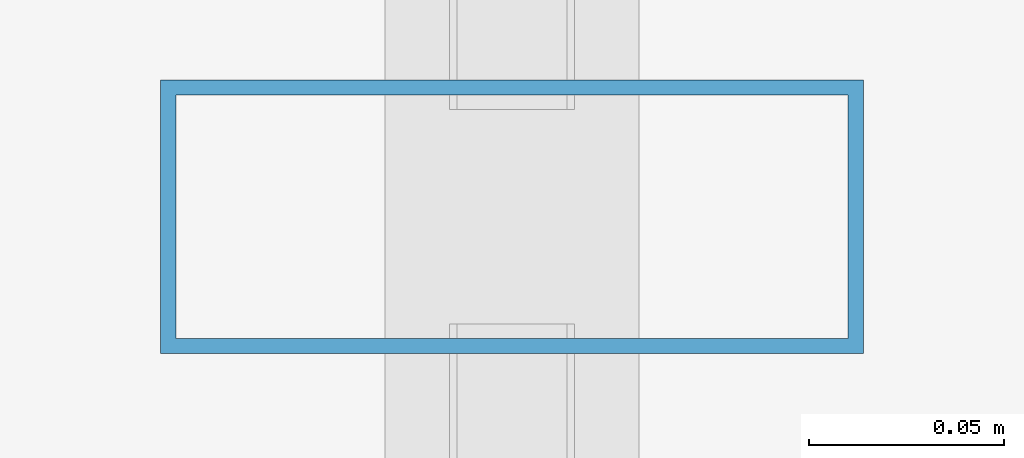
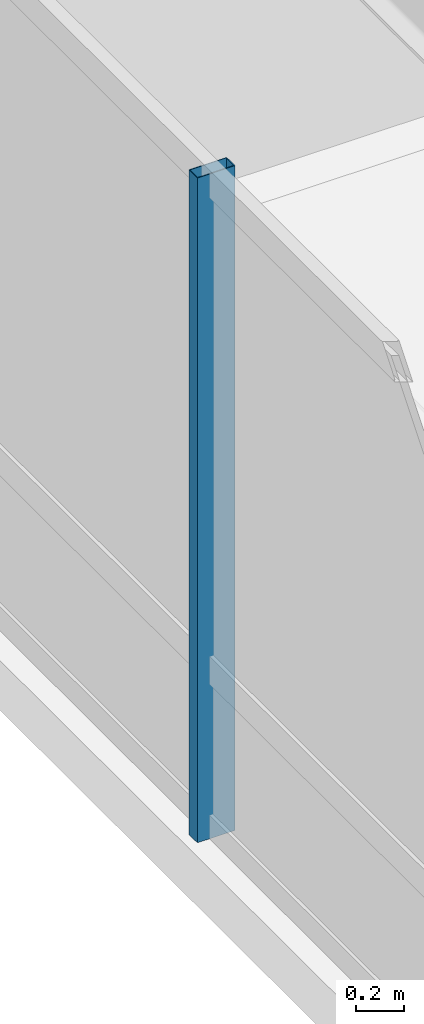
# One storey, part 13 of 29: 1 member, 1 element without a shape of its own.
"""IFC4 building model written with IfcOpenShell, lengths in metres."""

from ifc_helpers import new_model, si_unit, direction, frame, origin, origin_2d, place, context, subcontext, project, spatial, hollow_rectangle, extrude, material, layer, layer_set, material_profile, profile_set, type_object, element, aggregate, save


model = new_model("IFC4")

# Units and contexts
model_context = context("Model", 3, precision=1e-05, world=origin(), true_north=direction((0.0, 1.0)))
body_context = subcontext(model_context, "Body", "Model", "MODEL_VIEW")
ifc_project = project(units=[si_unit("LENGTHUNIT", "METRE"), si_unit("AREAUNIT", "SQUARE_METRE"), si_unit("VOLUMEUNIT", "CUBIC_METRE"), si_unit("PLANEANGLEUNIT", "RADIAN"), si_unit("MASSUNIT", "GRAM", prefix="KILO")], contexts=[model_context])

# Site, building, storey
site_placement = place(None, origin())
site = spatial("IfcSite", under=ifc_project, at=site_placement, CompositionType="ELEMENT")
building_placement = place(site_placement, origin())
building = spatial("IfcBuilding", under=site, at=building_placement, Name="Hatsunagi Terrace Concourse", CompositionType="ELEMENT")
storey_placement = place(building_placement, frame((0.0, 0.0, 108.449951171875)))
storey = spatial("IfcBuildingStorey", under=building, at=storey_placement, Name="L28", CompositionType="ELEMENT", Elevation=108.449951171875)

# Curtain wall, member
ifc_material_1 = material(Name="Anodised Aluminium Alloy 6063-T5", Category="aluminium")
ifc_layer = layer(ifc_material_1, 0.199951171875)
ifc_layer_set = layer_set([ifc_layer], Name="OfficeZone1_CW03")
curtain_wall_type = type_object("IfcCurtainWallType", Name="OfficeZone1_CW03", PredefinedType="NOTDEFINED", material=ifc_layer_set)
curtain_wall_placement = place(storey_placement, origin())
curtain_wall = element("IfcCurtainWall", 1, at=curtain_wall_placement, inside=storey, type_object=curtain_wall_type, Name="Unitised Curtain Wall CW-03 CW-L28-09", PredefinedType="NOTDEFINED")
ifc_material_2 = material(Name="Anodised Aluminium Alloy 6063-T5", Category="aluminium")
ifc_material_profile = material_profile(ifc_material_2, hollow_rectangle(XDim=0.070068359375, YDim=0.179931640625, WallThickness=0.00390625, at=origin_2d()), Name="ALU-MUL-180x70x4")
ifc_profile_set = profile_set([ifc_material_profile], Name="Anodised Aluminium Alloy 6063-T5")
member_type = type_object("IfcMemberType", Name="CurtainWallMullion_180x70", PredefinedType="MULLION", material=ifc_profile_set)
member_placement = place(storey_placement, frame((9.739990234375, 36.89990234375, 0.0), z_axis=(0.0, 0.0, 1.0), x_axis=(0.0, 1.0, 0.0)))
member = element("IfcMember", 2, at=member_placement, type_object=member_type, Name="Curtain Wall Mullion MUL-02", PredefinedType="MULLION", context=body_context, shape_type="SweptSolid", body=[
    extrude(hollow_rectangle(XDim=0.070068359375, YDim=0.179931640625, WallThickness=0.00390625, at=origin_2d()), origin(), (0.0, 0.0, 1.0), 3.35009765625),
])
aggregate(curtain_wall, [member])

save(model, "model.ifc")
